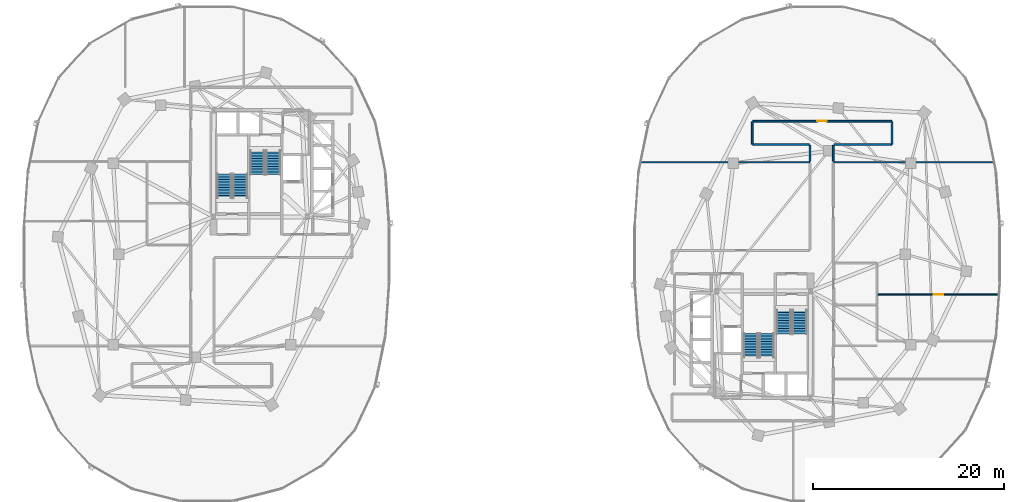
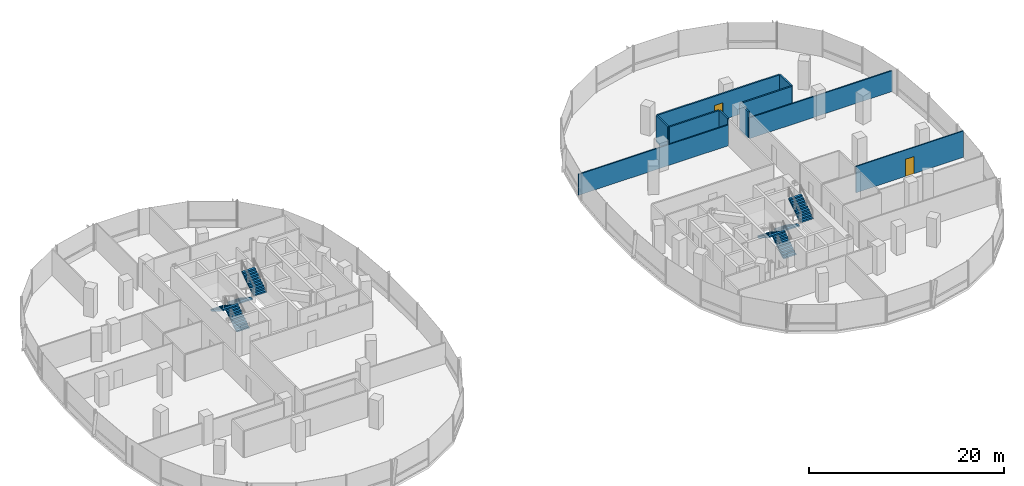
# One storey, part 14 of 21: 10 walls, 8 stair flights, 2 doors, 2 openings, 4 elements without a shape of their own.
"""IFC4 building model written with IfcOpenShell, lengths in metres."""

from ifc_helpers import new_model, si_unit, direction, frame, frame_2d, origin, place, context, subcontext, project, spatial, polyline, rectangle, outline, extrude, material, layer, layer_set, type_object, element, fill, aggregate, save


model = new_model("IFC4")

# Units and contexts
model_context = context("Model", 3, precision=1e-05, world=origin(), true_north=direction((0.0, 1.0)))
body_context = subcontext(model_context, "Body", "Model", "MODEL_VIEW")
ifc_project = project(units=[si_unit("LENGTHUNIT", "METRE"), si_unit("AREAUNIT", "SQUARE_METRE"), si_unit("VOLUMEUNIT", "CUBIC_METRE"), si_unit("PLANEANGLEUNIT", "RADIAN"), si_unit("MASSUNIT", "GRAM", prefix="KILO"), si_unit("THERMODYNAMICTEMPERATUREUNIT", "KELVIN"), si_unit("POWERUNIT", "WATT")], contexts=[model_context])

# Site, building, storey
site_placement = place(None, origin())
site = spatial("IfcSite", under=ifc_project, at=site_placement, CompositionType="ELEMENT")
building_placement = place(site_placement, origin())
building = spatial("IfcBuilding", under=site, at=building_placement, Name="Cundina Bronze Exchange", CompositionType="ELEMENT")
storey_placement = place(building_placement, frame((0.0, 0.0, 96.199951171875)))
storey = spatial("IfcBuildingStorey", under=building, at=storey_placement, Name="L24", CompositionType="ELEMENT", Elevation=96.199951171875)

# Wall, opening, door
ifc_material_1 = material(Name="Gypsum Fireboard Partition EI120")
ifc_layer_1 = layer(ifc_material_1, 0.179931640625, Name="Gypsum Fireboard Partition EI120")
ifc_layer_set_1 = layer_set([ifc_layer_1], Name="Gypsum Fireboard Partition EI120")
wall_type_1 = type_object("IfcWallType", Name="WL-COR-180", PredefinedType="PARTITIONING", material=ifc_layer_set_1)
wall_1_placement = place(storey_placement, frame((39.778564453125, 13.919921875, 0.0), z_axis=(0.0, 0.0, 1.0), x_axis=(-1.0, 0.0, 0.0)))
wall_1 = element("IfcWall", 1, at=wall_1_placement, inside=storey, type_object=wall_type_1, Name="L24 Interior Partition 067", PredefinedType="PARTITIONING", context=body_context, shape_type="SweptSolid", body=[
    extrude(rectangle(XDim=14.55712890625, YDim=0.179931640625, at=frame_2d((7.278564453125, 0.0))), origin(), (0.0, 0.0, 1.0), 3.300048828125),
])
opening_1_placement = place(wall_1_placement, frame((6.778564453125, 0.0, 0.0)))
opening_1 = element("IfcOpeningElement", 2, at=opening_1_placement, cuts=wall_1, Name="Opening DO-01", PredefinedType="OPENING", context=body_context, shape_type="SweptSolid", body=[
    extrude(rectangle(XDim=1.0, YDim=2.14990234375, at=frame_2d((0.5, 1.074951171875))), frame((0.0, 0.099853515625, 0.0), z_axis=(0.0, -1.0, 0.0), x_axis=(1.0, 0.0, 0.0)), (0.0, 0.0, 1.0), 0.199951171875),
])
ifc_material_2 = material(Name="Solid Andean Oak Timber Grade A", Category="wood")
door_type = type_object("IfcDoorType", Name="DR-OFF-1000", OperationType="NOTDEFINED", PredefinedType="DOOR", material=ifc_material_2)
door_1_placement = place(opening_1_placement, origin())
door_1 = element("IfcDoor", 3, at=door_1_placement, inside=storey, type_object=door_type, Name="L24 Interior Door 067", OperationType="SINGLE_SWING_RIGHT", OverallHeight=2.14990234375, OverallWidth=1.0, PredefinedType="DOOR", context=body_context, shape_type="SweptSolid", body=[
    extrude(rectangle(XDim=1.0, YDim=2.14990234375, at=frame_2d((0.5, 1.074951171875))), frame((0.0, 0.02490234375, 0.0), z_axis=(0.0, -1.0, 0.0), x_axis=(1.0, 0.0, 0.0)), (0.0, 0.0, 1.0), 0.050048828125),
])
fill(opening_1, door_1)

# Walls
wall_2_placement = place(storey_placement, frame((33.75, 11.47998046875, 0.0), z_axis=(0.0, 0.0, 1.0), x_axis=(1.0, 0.0, 0.0)))
element("IfcWall", 4, at=wall_2_placement, inside=storey, type_object=wall_type_1, Name="L24 Interior Partition 068", PredefinedType="PARTITIONING", context=body_context, shape_type="SweptSolid", body=[
    extrude(rectangle(XDim=6.028564453125, YDim=0.179931640625, at=frame_2d((3.01416015625, 0.0))), origin(), (0.0, 0.0, 1.0), 3.300048828125),
])
wall_3_placement = place(storey_placement, frame((25.221435546875, 11.47998046875, 0.0), z_axis=(0.0, 0.0, 1.0), x_axis=(1.0, 0.0, 0.0)))
element("IfcWall", 5, at=wall_3_placement, inside=storey, type_object=wall_type_1, Name="L24 Interior Partition 069", PredefinedType="PARTITIONING", context=body_context, shape_type="SweptSolid", body=[
    extrude(rectangle(XDim=5.928466796875, YDim=0.179931640625, at=frame_2d((2.96435546875, 0.0))), origin(), (0.0, 0.0, 1.0), 3.300048828125),
])
for number, where, z_axis, x_axis, name in (
    (6, (39.820068359375, 11.521484375, 0.0), (0.0, 0.0, 1.0), (0.0, 1.0, 0.0), "L24 Interior Partition 070"),
    (7, (25.179931640625, 13.87841796875, 0.0), (0.0, 0.0, 1.0), (0.0, -1.0, 0.0), "L24 Interior Partition 071"),
):
    element("IfcWall", number, at=place(storey_placement, frame(where, z_axis=z_axis, x_axis=x_axis)), inside=storey, type_object=wall_type_1, Name=name, PredefinedType="PARTITIONING", context=body_context, shape_type="SweptSolid", body=[
        extrude(rectangle(XDim=2.35693359375, YDim=0.179931640625, at=frame_2d((1.178466796875, 0.0))), origin(), (0.0, 0.0, 1.0), 3.300048828125),
    ])
for number, where, z_axis, x_axis, name in (
    (8, (33.669921875, 9.7099609375, 0.0), (0.0, 0.0, 1.0), (0.0, 1.0, 0.0), "L24 Interior Partition 072"),
    (9, (31.22998046875, 11.39990234375, 0.0), (0.0, 0.0, 1.0), (0.0, -1.0, 0.0), "L24 Interior Partition 073"),
):
    element("IfcWall", number, at=place(storey_placement, frame(where, z_axis=z_axis, x_axis=x_axis)), inside=storey, type_object=wall_type_1, Name=name, PredefinedType="PARTITIONING", context=body_context, shape_type="SweptSolid", body=[
        extrude(rectangle(XDim=1.68994140625, YDim=0.179931640625, at=frame_2d((0.844970703125, 0.0))), origin(), (0.0, 0.0, 1.0), 3.300048828125),
    ])

# Wall, opening, door
ifc_material_3 = material(Name="Gypsum Acoustic Partition EI60")
ifc_layer_2 = layer(ifc_material_3, 0.125, Name="Gypsum Acoustic Partition EI60")
ifc_layer_set_2 = layer_set([ifc_layer_2], Name="Gypsum Acoustic Partition EI60")
wall_type_2 = type_object("IfcWallType", Name="WL-OFF-125", PredefinedType="PARTITIONING", material=ifc_layer_set_2)
wall_4_placement = place(storey_placement, frame((38.320068359375, -4.25, 0.0), z_axis=(0.0, 0.0, 1.0), x_axis=(1.0, 0.0, 0.0)))
wall_4 = element("IfcWall", 10, at=wall_4_placement, inside=storey, type_object=wall_type_2, Name="L24 Interior Partition 074", PredefinedType="PARTITIONING", context=body_context, shape_type="SweptSolid", body=[
    extrude(rectangle(XDim=12.736572265625, YDim=0.125, at=frame_2d((6.3681640625, 0.0))), origin(), (0.0, 0.0, 1.0), 3.300048828125),
])
opening_2_placement = place(wall_4_placement, frame((5.868408203125, 0.0, 0.0)))
opening_2 = element("IfcOpeningElement", 11, at=opening_2_placement, cuts=wall_4, Name="Opening DO-01", PredefinedType="OPENING", context=body_context, shape_type="SweptSolid", body=[
    extrude(rectangle(XDim=1.0, YDim=2.14990234375, at=frame_2d((0.5, 1.074951171875))), frame((0.0, 0.072509765625, 0.0), z_axis=(0.0, -1.0, 0.0), x_axis=(1.0, 0.0, 0.0)), (0.0, 0.0, 1.0), 0.14501953125),
])
door_2_placement = place(opening_2_placement, origin())
door_2 = element("IfcDoor", 12, at=door_2_placement, inside=storey, type_object=door_type, Name="L24 Interior Door 074", OperationType="SINGLE_SWING_RIGHT", OverallHeight=2.14990234375, OverallWidth=1.0, PredefinedType="DOOR", context=body_context, shape_type="SweptSolid", body=[
    extrude(rectangle(XDim=1.0, YDim=2.14990234375, at=frame_2d((0.5, 1.074951171875))), frame((0.0, 0.02490234375, 0.0), z_axis=(0.0, -1.0, 0.0), x_axis=(1.0, 0.0, 0.0)), (0.0, 0.0, 1.0), 0.050048828125),
])
fill(opening_2, door_2)

# Walls
ifc_layer_3 = layer(ifc_material_3, 0.14990234375, Name="Gypsum Acoustic Partition EI60")
ifc_layer_set_3 = layer_set([ifc_layer_3], Name="Gypsum Acoustic Partition EI60")
wall_type_3 = type_object("IfcWallType", Name="WL-TEN-150", PredefinedType="PARTITIONING", material=ifc_layer_set_3)
wall_5_placement = place(storey_placement, frame((13.39453125, 9.6201171875, 0.0), z_axis=(0.0, 0.0, 1.0), x_axis=(1.0, 0.0, 0.0)))
element("IfcWall", 13, at=wall_5_placement, inside=storey, type_object=wall_type_3, Name="L24 Interior Partition 052", PredefinedType="PARTITIONING", context=body_context, shape_type="SweptSolid", body=[
    extrude(rectangle(XDim=17.805419921875, YDim=0.14990234375, at=frame_2d((8.90283203125, 0.0))), origin(), (0.0, 0.0, 1.0), 2.60498046875),
])
wall_6_placement = place(storey_placement, frame((33.699951171875, 9.6201171875, 0.0), z_axis=(0.0, 0.0, 1.0), x_axis=(1.0, 0.0, 0.0)))
element("IfcWall", 14, at=wall_6_placement, inside=storey, type_object=wall_type_3, Name="L24 Interior Partition 053", PredefinedType="PARTITIONING", context=body_context, shape_type="SweptSolid", body=[
    extrude(rectangle(XDim=16.905517578125, YDim=0.14990234375, at=frame_2d((8.45263671875, 0.0))), origin(), (0.0, 0.0, 1.0), 2.60498046875),
])

# Stair, stair flights
ifc_material_4 = material(Name="Concrete C40/50", Category="concrete")
stair_type = type_object("IfcStairType", Name="STR-OFF-360", PredefinedType="HALF_TURN_STAIR", material=ifc_material_4)
stair_1_placement = place(storey_placement, origin())
stair_1 = element("IfcStair", 15, at=stair_1_placement, inside=storey, type_object=stair_type, Name="L24 Smokeproof Exit Stair W1", PredefinedType="HALF_TURN_STAIR")
stair_flight_type = type_object("IfcStairFlightType", Name="FLG-OFF-180", PredefinedType="STRAIGHT", material=ifc_material_4)
stair_flight_1_placement = place(storey_placement, frame((-28.489990234375, 5.85009765625, 0.0), z_axis=(0.0, 0.0, 1.0), x_axis=(0.0, 1.0, 0.0)))
stair_flight_1 = element("IfcStairFlight", 16, at=stair_flight_1_placement, type_object=stair_flight_type, Name="ST-W1 flight 1", NumberOfRisers=10, NumberOfTreads=9, PredefinedType="STRAIGHT", RiserHeight=0.18, TreadLength=0.28, context=body_context, shape_type="SweptSolid", body=[
    extrude(outline(polyline([(0.0, 0.0), (0.0, 0.179931640625), (0.280029296875, 0.179931640625), (0.280029296875, 0.360107421875), (0.56005859375, 0.360107421875), (0.56005859375, 0.5400390625), (0.840087890625, 0.5400390625), (0.840087890625, 0.719970703125), (1.1201171875, 0.719970703125), (1.1201171875, 0.89990234375), (1.39990234375, 0.89990234375), (1.39990234375, 1.080078125), (1.679931640625, 1.080078125), (1.679931640625, 1.260009765625), (1.9599609375, 1.260009765625), (1.9599609375, 1.43994140625), (2.239990234375, 1.43994140625), (2.239990234375, 1.6201171875), (2.52001953125, 1.6201171875), (2.52001953125, 1.800048828125), (2.52001953125, 1.44189453125), (0.277099609375, 0.0), (0.0, 0.0)])), frame((0.0, 0.75, 0.0), z_axis=(0.0, -1.0, 0.0), x_axis=(1.0, 0.0, 0.0)), (0.0, 0.0, 1.0), 1.5),
])
stair_flight_2_placement = place(storey_placement, frame((-30.14990234375, 8.3701171875, 1.800048828125), z_axis=(0.0, 0.0, 1.0), x_axis=(0.0, -1.0, 0.0)))
stair_flight_2 = element("IfcStairFlight", 17, at=stair_flight_2_placement, type_object=stair_flight_type, Name="ST-W1 flight 2", NumberOfRisers=10, NumberOfTreads=9, PredefinedType="STRAIGHT", RiserHeight=0.18, TreadLength=0.28, context=body_context, shape_type="SweptSolid", body=[
    extrude(outline(polyline([(0.0, 0.0), (0.0, 0.179931640625), (0.280029296875, 0.179931640625), (0.280029296875, 0.360107421875), (0.56005859375, 0.360107421875), (0.56005859375, 0.5400390625), (0.840087890625, 0.5400390625), (0.840087890625, 0.719970703125), (1.1201171875, 0.719970703125), (1.1201171875, 0.89990234375), (1.39990234375, 0.89990234375), (1.39990234375, 1.080078125), (1.679931640625, 1.080078125), (1.679931640625, 1.260009765625), (1.9599609375, 1.260009765625), (1.9599609375, 1.43994140625), (2.239990234375, 1.43994140625), (2.239990234375, 1.6201171875), (2.52001953125, 1.6201171875), (2.52001953125, 1.800048828125), (2.52001953125, 1.44189453125), (0.277099609375, 0.0), (0.0, 0.0)])), frame((0.0, 0.75, 0.0), z_axis=(0.0, -1.0, 0.0), x_axis=(1.0, 0.0, 0.0)), (0.0, 0.0, 1.0), 1.5),
])
aggregate(stair_1, [stair_flight_1, stair_flight_2])

stair_2_placement = place(storey_placement, origin())
stair_2 = element("IfcStair", 18, at=stair_2_placement, inside=storey, type_object=stair_type, Name="L24 Smokeproof Exit Stair W2", PredefinedType="HALF_TURN_STAIR")
stair_flight_3_placement = place(storey_placement, frame((-26.68994140625, 10.85009765625, 0.0), z_axis=(0.0, 0.0, 1.0), x_axis=(0.0, -1.0, 0.0)))
stair_flight_3 = element("IfcStairFlight", 19, at=stair_flight_3_placement, type_object=stair_flight_type, Name="ST-W2 flight 1", NumberOfRisers=10, NumberOfTreads=9, PredefinedType="STRAIGHT", RiserHeight=0.18, TreadLength=0.28, context=body_context, shape_type="SweptSolid", body=[
    extrude(outline(polyline([(0.0, 0.0), (0.0, 0.179931640625), (0.280029296875, 0.179931640625), (0.280029296875, 0.360107421875), (0.56005859375, 0.360107421875), (0.56005859375, 0.5400390625), (0.840087890625, 0.5400390625), (0.840087890625, 0.719970703125), (1.1201171875, 0.719970703125), (1.1201171875, 0.89990234375), (1.39990234375, 0.89990234375), (1.39990234375, 1.080078125), (1.679931640625, 1.080078125), (1.679931640625, 1.260009765625), (1.9599609375, 1.260009765625), (1.9599609375, 1.43994140625), (2.239990234375, 1.43994140625), (2.239990234375, 1.6201171875), (2.52001953125, 1.6201171875), (2.52001953125, 1.800048828125), (2.52001953125, 1.44189453125), (0.277099609375, 0.0), (0.0, 0.0)])), frame((0.0, 0.75, 0.0), z_axis=(0.0, -1.0, 0.0), x_axis=(1.0, 0.0, 0.0)), (0.0, 0.0, 1.0), 1.5),
])
stair_flight_4_placement = place(storey_placement, frame((-25.030029296875, 8.330078125, 1.800048828125), z_axis=(0.0, 0.0, 1.0), x_axis=(0.0, 1.0, 0.0)))
stair_flight_4 = element("IfcStairFlight", 20, at=stair_flight_4_placement, type_object=stair_flight_type, Name="ST-W2 flight 2", NumberOfRisers=10, NumberOfTreads=9, PredefinedType="STRAIGHT", RiserHeight=0.18, TreadLength=0.28, context=body_context, shape_type="SweptSolid", body=[
    extrude(outline(polyline([(0.0, 0.0), (0.0, 0.179931640625), (0.280029296875, 0.179931640625), (0.280029296875, 0.360107421875), (0.56005859375, 0.360107421875), (0.56005859375, 0.5400390625), (0.840087890625, 0.5400390625), (0.840087890625, 0.719970703125), (1.1201171875, 0.719970703125), (1.1201171875, 0.89990234375), (1.39990234375, 0.89990234375), (1.39990234375, 1.080078125), (1.679931640625, 1.080078125), (1.679931640625, 1.260009765625), (1.9599609375, 1.260009765625), (1.9599609375, 1.43994140625), (2.239990234375, 1.43994140625), (2.239990234375, 1.6201171875), (2.52001953125, 1.6201171875), (2.52001953125, 1.800048828125), (2.52001953125, 1.44189453125), (0.277099609375, 0.0), (0.0, 0.0)])), frame((0.0, 0.75, 0.0), z_axis=(0.0, -1.0, 0.0), x_axis=(1.0, 0.0, 0.0)), (0.0, 0.0, 1.0), 1.5),
])
aggregate(stair_2, [stair_flight_3, stair_flight_4])

stair_3_placement = place(storey_placement, origin())
stair_3 = element("IfcStair", 21, at=stair_3_placement, inside=storey, type_object=stair_type, Name="L24 Smokeproof Exit Stair E1", PredefinedType="HALF_TURN_STAIR")
stair_flight_5_placement = place(storey_placement, frame((28.489990234375, -5.85009765625, 0.0), z_axis=(0.0, 0.0, 1.0), x_axis=(0.0, -1.0, 0.0)))
stair_flight_5 = element("IfcStairFlight", 22, at=stair_flight_5_placement, type_object=stair_flight_type, Name="ST-E1 flight 1", NumberOfRisers=10, NumberOfTreads=9, PredefinedType="STRAIGHT", RiserHeight=0.18, TreadLength=0.28, context=body_context, shape_type="SweptSolid", body=[
    extrude(outline(polyline([(0.0, 0.0), (0.0, 0.179931640625), (0.280029296875, 0.179931640625), (0.280029296875, 0.360107421875), (0.56005859375, 0.360107421875), (0.56005859375, 0.5400390625), (0.840087890625, 0.5400390625), (0.840087890625, 0.719970703125), (1.1201171875, 0.719970703125), (1.1201171875, 0.89990234375), (1.39990234375, 0.89990234375), (1.39990234375, 1.080078125), (1.679931640625, 1.080078125), (1.679931640625, 1.260009765625), (1.9599609375, 1.260009765625), (1.9599609375, 1.43994140625), (2.239990234375, 1.43994140625), (2.239990234375, 1.6201171875), (2.52001953125, 1.6201171875), (2.52001953125, 1.800048828125), (2.52001953125, 1.44189453125), (0.277099609375, 0.0), (0.0, 0.0)])), frame((0.0, 0.75, 0.0), z_axis=(0.0, -1.0, 0.0), x_axis=(1.0, 0.0, 0.0)), (0.0, 0.0, 1.0), 1.5),
])
stair_flight_6_placement = place(storey_placement, frame((30.14990234375, -8.3701171875, 1.800048828125), z_axis=(0.0, 0.0, 1.0), x_axis=(0.0, 1.0, 0.0)))
stair_flight_6 = element("IfcStairFlight", 23, at=stair_flight_6_placement, type_object=stair_flight_type, Name="ST-E1 flight 2", NumberOfRisers=10, NumberOfTreads=9, PredefinedType="STRAIGHT", RiserHeight=0.18, TreadLength=0.28, context=body_context, shape_type="SweptSolid", body=[
    extrude(outline(polyline([(0.0, 0.0), (0.0, 0.179931640625), (0.280029296875, 0.179931640625), (0.280029296875, 0.360107421875), (0.56005859375, 0.360107421875), (0.56005859375, 0.5400390625), (0.840087890625, 0.5400390625), (0.840087890625, 0.719970703125), (1.1201171875, 0.719970703125), (1.1201171875, 0.89990234375), (1.39990234375, 0.89990234375), (1.39990234375, 1.080078125), (1.679931640625, 1.080078125), (1.679931640625, 1.260009765625), (1.9599609375, 1.260009765625), (1.9599609375, 1.43994140625), (2.239990234375, 1.43994140625), (2.239990234375, 1.6201171875), (2.52001953125, 1.6201171875), (2.52001953125, 1.800048828125), (2.52001953125, 1.44189453125), (0.277099609375, 0.0), (0.0, 0.0)])), frame((0.0, 0.75, 0.0), z_axis=(0.0, -1.0, 0.0), x_axis=(1.0, 0.0, 0.0)), (0.0, 0.0, 1.0), 1.5),
])
aggregate(stair_3, [stair_flight_5, stair_flight_6])

stair_4_placement = place(storey_placement, origin())
stair_4 = element("IfcStair", 24, at=stair_4_placement, inside=storey, type_object=stair_type, Name="L24 Smokeproof Exit Stair E2", PredefinedType="HALF_TURN_STAIR")
stair_flight_7_placement = place(storey_placement, frame((26.68994140625, -10.85009765625, 0.0), z_axis=(0.0, 0.0, 1.0), x_axis=(0.0, 1.0, 0.0)))
stair_flight_7 = element("IfcStairFlight", 25, at=stair_flight_7_placement, type_object=stair_flight_type, Name="ST-E2 flight 1", NumberOfRisers=10, NumberOfTreads=9, PredefinedType="STRAIGHT", RiserHeight=0.18, TreadLength=0.28, context=body_context, shape_type="SweptSolid", body=[
    extrude(outline(polyline([(0.0, 0.0), (0.0, 0.179931640625), (0.280029296875, 0.179931640625), (0.280029296875, 0.360107421875), (0.56005859375, 0.360107421875), (0.56005859375, 0.5400390625), (0.840087890625, 0.5400390625), (0.840087890625, 0.719970703125), (1.1201171875, 0.719970703125), (1.1201171875, 0.89990234375), (1.39990234375, 0.89990234375), (1.39990234375, 1.080078125), (1.679931640625, 1.080078125), (1.679931640625, 1.260009765625), (1.9599609375, 1.260009765625), (1.9599609375, 1.43994140625), (2.239990234375, 1.43994140625), (2.239990234375, 1.6201171875), (2.52001953125, 1.6201171875), (2.52001953125, 1.800048828125), (2.52001953125, 1.44189453125), (0.277099609375, 0.0), (0.0, 0.0)])), frame((0.0, 0.75, 0.0), z_axis=(0.0, -1.0, 0.0), x_axis=(1.0, 0.0, 0.0)), (0.0, 0.0, 1.0), 1.5),
])
stair_flight_8_placement = place(storey_placement, frame((25.030029296875, -8.330078125, 1.800048828125), z_axis=(0.0, 0.0, 1.0), x_axis=(0.0, -1.0, 0.0)))
stair_flight_8 = element("IfcStairFlight", 26, at=stair_flight_8_placement, type_object=stair_flight_type, Name="ST-E2 flight 2", NumberOfRisers=10, NumberOfTreads=9, PredefinedType="STRAIGHT", RiserHeight=0.18, TreadLength=0.28, context=body_context, shape_type="SweptSolid", body=[
    extrude(outline(polyline([(0.0, 0.0), (0.0, 0.179931640625), (0.280029296875, 0.179931640625), (0.280029296875, 0.360107421875), (0.56005859375, 0.360107421875), (0.56005859375, 0.5400390625), (0.840087890625, 0.5400390625), (0.840087890625, 0.719970703125), (1.1201171875, 0.719970703125), (1.1201171875, 0.89990234375), (1.39990234375, 0.89990234375), (1.39990234375, 1.080078125), (1.679931640625, 1.080078125), (1.679931640625, 1.260009765625), (1.9599609375, 1.260009765625), (1.9599609375, 1.43994140625), (2.239990234375, 1.43994140625), (2.239990234375, 1.6201171875), (2.52001953125, 1.6201171875), (2.52001953125, 1.800048828125), (2.52001953125, 1.44189453125), (0.277099609375, 0.0), (0.0, 0.0)])), frame((0.0, 0.75, 0.0), z_axis=(0.0, -1.0, 0.0), x_axis=(1.0, 0.0, 0.0)), (0.0, 0.0, 1.0), 1.5),
])
aggregate(stair_4, [stair_flight_7, stair_flight_8])

save(model, "model.ifc")
